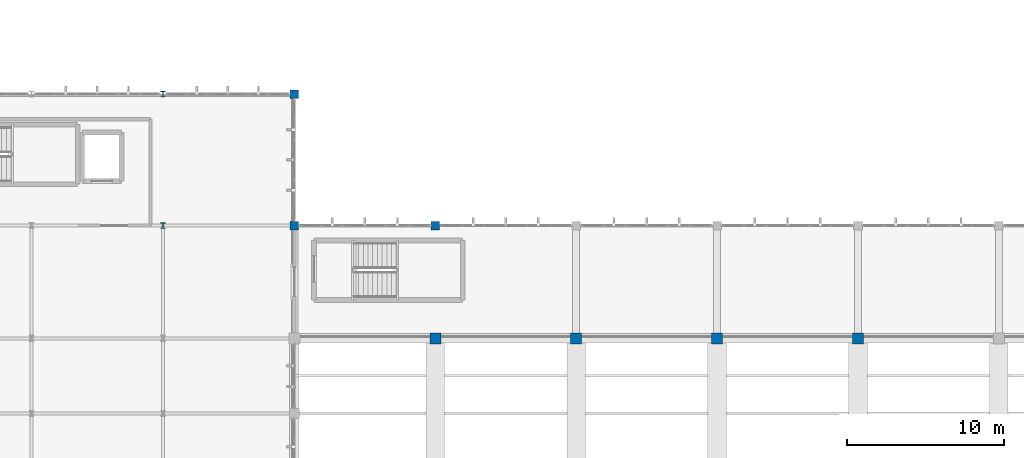
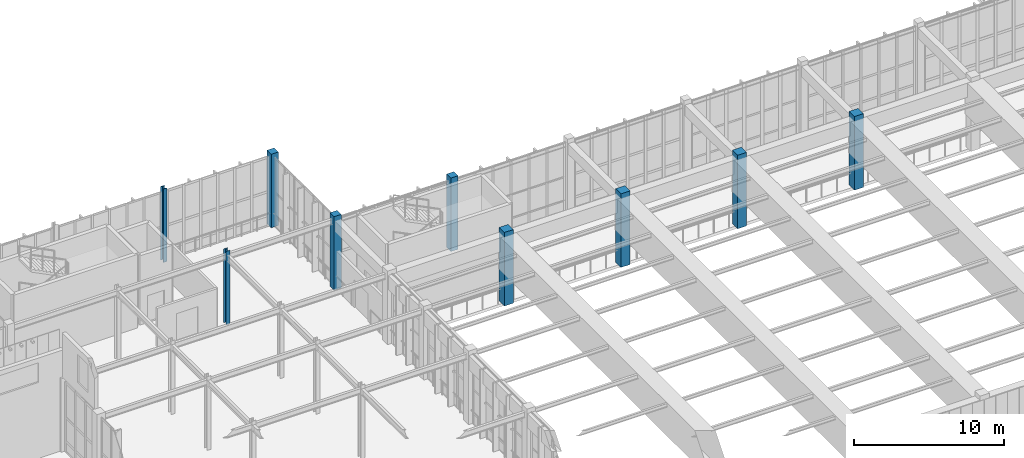
# One storey, part 7 of 105: 9 columns.
"""IFC4 building model written with IfcOpenShell, lengths in metres."""

from ifc_helpers import new_model, si_unit, direction, frame, origin, origin_2d, place, context, subcontext, project, spatial, rectangle, i_section, extrude, material, material_profile, profile_set, type_object, element, save


model = new_model("IFC4")

# Units and contexts
model_context = context("Model", 3, precision=1e-05, world=origin(), true_north=direction((0.0, 1.0)))
body_context = subcontext(model_context, "Body", "Model", "MODEL_VIEW")
ifc_project = project(units=[si_unit("LENGTHUNIT", "METRE"), si_unit("AREAUNIT", "SQUARE_METRE"), si_unit("VOLUMEUNIT", "CUBIC_METRE"), si_unit("PLANEANGLEUNIT", "RADIAN"), si_unit("MASSUNIT", "GRAM", prefix="KILO")], contexts=[model_context])

# Site, building, storey
site_placement = place(None, origin())
site = spatial("IfcSite", under=ifc_project, at=site_placement, CompositionType="ELEMENT")
building_placement = place(site_placement, origin())
building = spatial("IfcBuilding", under=site, at=building_placement, Name="Tizgana Railside Sports Hall", CompositionType="ELEMENT")
storey_placement = place(building_placement, frame((0.0, 0.0, 6.0)))
storey = spatial("IfcBuildingStorey", under=building, at=storey_placement, Name="L01", CompositionType="ELEMENT", Elevation=6.0)

# Columns
ifc_material_1 = material(Name="Concrete C40/50", Category="concrete")
ifc_material_profile_1 = material_profile(ifc_material_1, rectangle(XDim=0.550048828125, YDim=0.550048828125, at=origin_2d()), Name="RC 550x550")
ifc_profile_set_1 = profile_set([ifc_material_profile_1], Name="Concrete C40/50")
column_type_1 = type_object("IfcColumnType", Name="Concrete Column RC 550x550", PredefinedType="COLUMN", material=ifc_profile_set_1)
for number, where, z_axis, x_axis, name in (
    (1, (79.800048828125, 88.800048828125, 0.0), (0.0, 0.0, 1.0), (1.0, 0.0, 0.0), "L01 COL-0249"),
    (2, (79.800048828125, 80.39990234375, 0.0), (0.0, 0.0, 1.0), (1.0, 0.0, 0.0), "L01 COL-0276"),
    (3, (88.800048828125, 80.39990234375, 0.0), (0.0, 0.0, 1.0), (1.0, 0.0, 0.0), "L01 COL-0297"),
):
    element("IfcColumn", number, at=place(storey_placement, frame(where, z_axis=z_axis, x_axis=x_axis)), inside=storey, type_object=column_type_1, Name=name, PredefinedType="COLUMN", context=body_context, shape_type="SweptSolid", body=[
        extrude(rectangle(XDim=0.550048828125, YDim=0.550048828125, at=origin_2d()), origin(), (0.0, 0.0, 1.0), 6.0),
    ])
ifc_material_profile_2 = material_profile(ifc_material_1, rectangle(XDim=0.699951171875, YDim=0.699951171875, at=origin_2d()), Name="RC 700x700")
ifc_profile_set_2 = profile_set([ifc_material_profile_2], Name="Concrete C40/50")
column_type_2 = type_object("IfcColumnType", Name="Concrete Column RC 700x700", PredefinedType="COLUMN", material=ifc_profile_set_2)
for number, where, z_axis, x_axis, name in (
    (4, (88.800048828125, 73.199951171875, 0.0), (0.0, 0.0, 1.0), (1.0, 0.0, 0.0), "L01 COL-0291"),
    (5, (97.800048828125, 73.199951171875, 0.0), (0.0, 0.0, 1.0), (1.0, 0.0, 0.0), "L01 COL-0312"),
    (6, (106.800048828125, 73.199951171875, 0.0), (0.0, 0.0, 1.0), (1.0, 0.0, 0.0), "L01 COL-0337"),
    (7, (115.800048828125, 73.199951171875, 0.0), (0.0, 0.0, 1.0), (1.0, 0.0, 0.0), "L01 COL-0358"),
):
    element("IfcColumn", number, at=place(storey_placement, frame(where, z_axis=z_axis, x_axis=x_axis)), inside=storey, type_object=column_type_2, Name=name, PredefinedType="COLUMN", context=body_context, shape_type="SweptSolid", body=[
        extrude(rectangle(XDim=0.699951171875, YDim=0.699951171875, at=origin_2d()), origin(), (0.0, 0.0, 1.0), 6.0),
    ])
ifc_material_2 = material(Name="Steel S355J2", Category="steel")
ifc_material_profile_3 = material_profile(ifc_material_2, i_section(OverallWidth=0.300048828125, OverallDepth=0.360107421875, WebThickness=0.012451171875, FlangeThickness=0.0224609375, FilletRadius=0.027099609375, at=origin_2d()), Name="HEB 360")
ifc_profile_set_3 = profile_set([ifc_material_profile_3], Name="Steel S355J2")
column_type_3 = type_object("IfcColumnType", Name="Steel Column HEB 360", PredefinedType="COLUMN", material=ifc_profile_set_3)
for number, where, z_axis, x_axis, name in (
    (8, (71.39990234375, 80.39990234375, 0.0), (0.0, 0.0, 1.0), (1.0, 0.0, 0.0), "L01 COL-0240"),
    (9, (71.39990234375, 88.800048828125, 0.0), (0.0, 0.0, 1.0), (1.0, 0.0, 0.0), "L01 COL-0243"),
):
    element("IfcColumn", number, at=place(storey_placement, frame(where, z_axis=z_axis, x_axis=x_axis)), inside=storey, type_object=column_type_3, Name=name, PredefinedType="COLUMN", context=body_context, shape_type="SweptSolid", body=[
        extrude(i_section(OverallWidth=0.300048828125, OverallDepth=0.360107421875, WebThickness=0.012451171875, FlangeThickness=0.0224609375, FilletRadius=0.027099609375, at=origin_2d()), origin(), (0.0, 0.0, 1.0), 6.0),
    ])

save(model, "model.ifc")
